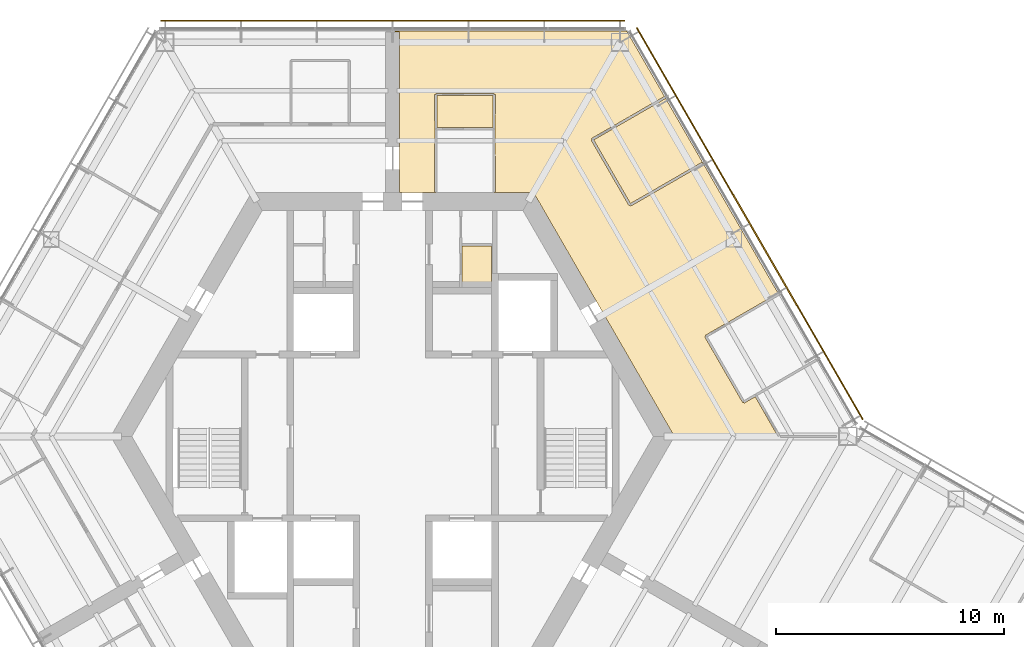
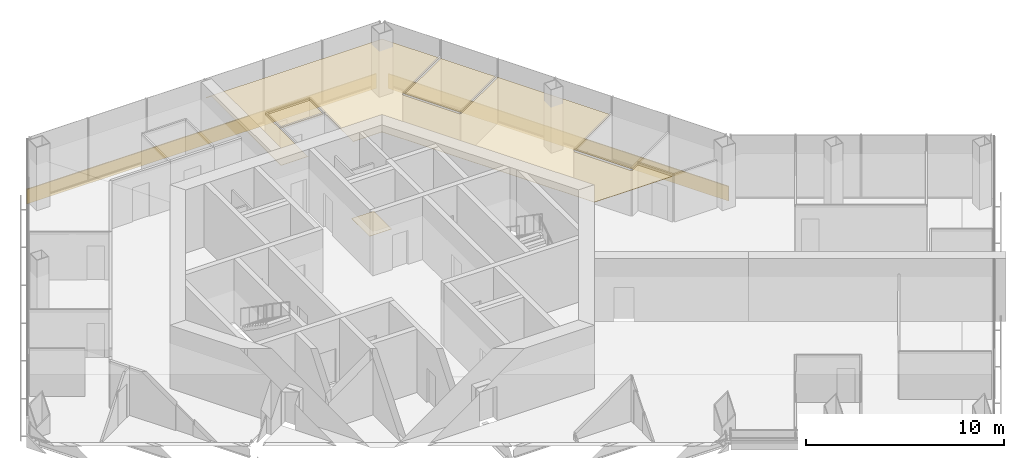
# One storey, part 16 of 16: 4 coverings, 2 shading devices.
"""IFC4 building model written with IfcOpenShell, lengths in metres."""

from ifc_helpers import new_model, si_unit, direction, frame, origin, origin_2d, place, context, subcontext, project, spatial, polyline, rectangle, outline, extrude, material, layer, layer_set, type_object, element, save


model = new_model("IFC4")

# Units and contexts
model_context = context("Model", 3, precision=1e-05, world=origin(), true_north=direction((0.0, 1.0)))
body_context = subcontext(model_context, "Body", "Model", "MODEL_VIEW")
ifc_project = project(units=[si_unit("LENGTHUNIT", "METRE"), si_unit("AREAUNIT", "SQUARE_METRE"), si_unit("VOLUMEUNIT", "CUBIC_METRE"), si_unit("PLANEANGLEUNIT", "RADIAN"), si_unit("MASSUNIT", "GRAM", prefix="KILO")], contexts=[model_context])

# Site, building, storey
site_placement = place(None, origin())
site = spatial("IfcSite", under=ifc_project, at=site_placement, CompositionType="ELEMENT")
building_placement = place(site_placement, origin())
building = spatial("IfcBuilding", under=site, at=building_placement, Name="Kasaneha Research Tower", CompositionType="ELEMENT")
storey_placement = place(building_placement, frame((0.0, 0.0, 255.699951171875)))
storey = spatial("IfcBuildingStorey", under=building, at=storey_placement, Name="L64", CompositionType="ELEMENT", Elevation=255.699951171875)

# Coverings
ifc_material_1 = material(Name="Gypsum ceiling board", Category="gypsum")
ifc_layer_1 = layer(ifc_material_1, 0.02001953125)
ifc_layer_set_1 = layer_set([ifc_layer_1], Name="Suspended ceiling 20")
covering_type_1 = type_object("IfcCoveringType", Name="Suspended ceiling 20", PredefinedType="CEILING", material=ifc_layer_set_1)
covering_1_placement = place(storey_placement, frame((0.0, 0.0, 2.800048828125)))
element("IfcCovering", 1, at=covering_1_placement, inside=storey, type_object=covering_type_1, Name="Ceiling L64-27", PredefinedType="CEILING", context=body_context, shape_type="SweptSolid", body=[
    extrude(outline(polyline([(1.9501953125, 14.97509765625), (4.414794921875, 14.97509765625), (4.41064453125, 13.570068359375), (1.954345703125, 13.570068359375), (1.9501953125, 14.97509765625)])), origin(), (0.0, 0.0, 1.0), 0.02001953125),
])
covering_2_placement = place(storey_placement, frame((0.0, 0.0, 2.800048828125)))
element("IfcCovering", 2, at=covering_2_placement, inside=storey, type_object=covering_type_1, Name="Ceiling L64-29", PredefinedType="CEILING", context=body_context, shape_type="SweptSolid", body=[
    extrude(outline(polyline([(13.640869140625, 12.0146484375), (13.623291015625, 12.004638671875), (13.598388671875, 12.0478515625), (10.454833984375, 10.23291015625), (8.83935546875, 13.031005859375), (12.000244140625, 14.85595703125), (13.640869140625, 12.0146484375)])), origin(), (0.0, 0.0, 1.0), 0.02001953125),
])
covering_3_placement = place(storey_placement, frame((0.0, 0.0, 2.800048828125)))
element("IfcCovering", 3, at=covering_3_placement, inside=storey, type_object=covering_type_1, Name="Ceiling L64-31", PredefinedType="CEILING", context=body_context, shape_type="SweptSolid", body=[
    extrude(outline(polyline([(4.465576171875, 10.72509765625), (4.465576171875, 10.7451171875), (4.514892578125, 10.7451171875), (4.510498046875, 13.52490234375), (4.514892578125, 15.02490234375), (4.46533203125, 15.02490234375), (4.46533203125, 15.025390625), (4.465087890625, 15.025390625), (4.465087890625, 15.074951171875), (1.89990234375, 15.074951171875), (1.89990234375, 15.025390625), (1.899658203125, 15.025390625), (1.899658203125, 15.02490234375), (1.85009765625, 15.02490234375), (1.8544921875, 13.52490234375), (1.85009765625, 10.7451171875), (1.8994140625, 10.7451171875), (1.8994140625, 10.72509765625), (0.300048828125, 10.72509765625), (0.300048828125, 11.72509765625), (0.300048828125, 12.72509765625), (0.300048828125, 17.7705078125), (0.300048828125, 17.7705078125), (0.0, 17.7705078125), (0.0, 17.820556640625), (10.28857421875, 17.820556640625), (11.9501953125, 14.9423828125), (8.74609375, 13.092529296875), (8.770751953125, 13.049560546875), (8.7705078125, 13.04931640625), (8.770751953125, 13.049072265625), (8.727783203125, 13.024169921875), (10.393310546875, 10.139404296875), (10.4365234375, 10.16455078125), (10.46142578125, 10.12109375), (13.6484375, 11.961181640625), (13.62353515625, 12.004150390625), (13.64111328125, 12.01416015625), (16.94677734375, 6.28857421875), (13.742431640625, 4.4384765625), (13.767333984375, 4.3955078125), (13.766845703125, 4.395263671875), (13.76708984375, 4.39501953125), (13.72412109375, 4.3701171875), (15.3896484375, 1.485595703125), (15.432373046875, 1.51025390625), (15.432373046875, 1.51025390625), (15.432861328125, 1.510498046875), (15.4580078125, 1.46728515625), (15.93798828125, 1.744384765625), (16.93994140625, 0.0), (12.38427734375, 0.0), (6.192138671875, 10.72509765625), (4.465576171875, 10.72509765625)])), origin(), (0.0, 0.0, 1.0), 0.02001953125),
])

# Shading devices
ifc_material_2 = material(Name="Terracotta", Category="masonry")
ifc_layer_2 = layer(ifc_material_2, 0.06005859375)
ifc_layer_set_2 = layer_set([ifc_layer_2], Name="Terracotta baguette screen")
shading_device_type = type_object("IfcShadingDeviceType", Name="Terracotta baguette screen", PredefinedType="USERDEFINED", material=ifc_layer_set_2)
shading_device_1_placement = place(storey_placement, frame((15.696044921875, 9.35498046875, -0.449951171875), z_axis=(0.0, 0.0, 1.0), x_axis=(-0.499999979232, 0.866025415775, 0.0)))
element("IfcShadingDevice", 4, at=shading_device_1_placement, inside=storey, type_object=shading_device_type, Name="Baguette screen L64 01", ObjectType="TERRACOTTA BAGUETTE SCREEN", PredefinedType="USERDEFINED", context=body_context, shape_type="SweptSolid", body=[
    extrude(rectangle(XDim=19.8857421875, YDim=0.06005859375, at=origin_2d()), origin(), (0.0, 0.0, 1.0), 0.89990234375),
])
shading_device_2_placement = place(storey_placement, frame((0.0, 18.2705078125, -0.449951171875), z_axis=(0.0, 0.0, 1.0), x_axis=(-1.0, 0.0, 0.0)))
element("IfcShadingDevice", 5, at=shading_device_2_placement, inside=storey, type_object=shading_device_type, Name="Baguette screen L64 02", ObjectType="TERRACOTTA BAGUETTE SCREEN", PredefinedType="USERDEFINED", context=body_context, shape_type="SweptSolid", body=[
    extrude(rectangle(XDim=20.392822265625, YDim=0.06005859375, at=origin_2d()), origin(), (0.0, 0.0, 1.0), 0.89990234375),
])

# Covering
ifc_material_3 = material(Name="Vinyl sheet flooring", Category="plastic")
ifc_layer_3 = layer(ifc_material_3, 0.0048828125)
ifc_layer_set_3 = layer_set([ifc_layer_3], Name="Wet room sheet flooring 5")
covering_type_2 = type_object("IfcCoveringType", Name="Wet room sheet flooring 5", PredefinedType="FLOORING", material=ifc_layer_set_3)
covering_4_placement = place(storey_placement, origin())
element("IfcCovering", 6, at=covering_4_placement, inside=storey, type_object=covering_type_2, Name="Floor finish L64-10", PredefinedType="FLOORING", context=body_context, shape_type="SweptSolid", body=[
    extrude(outline(polyline([(3.050048828125, 6.550048828125), (3.050048828125, 8.375), (4.35009765625, 8.375), (4.35009765625, 7.0), (4.35009765625, 6.550048828125), (3.050048828125, 6.550048828125)])), origin(), (0.0, 0.0, 1.0), 0.005126953125),
])

save(model, "model.ifc")
